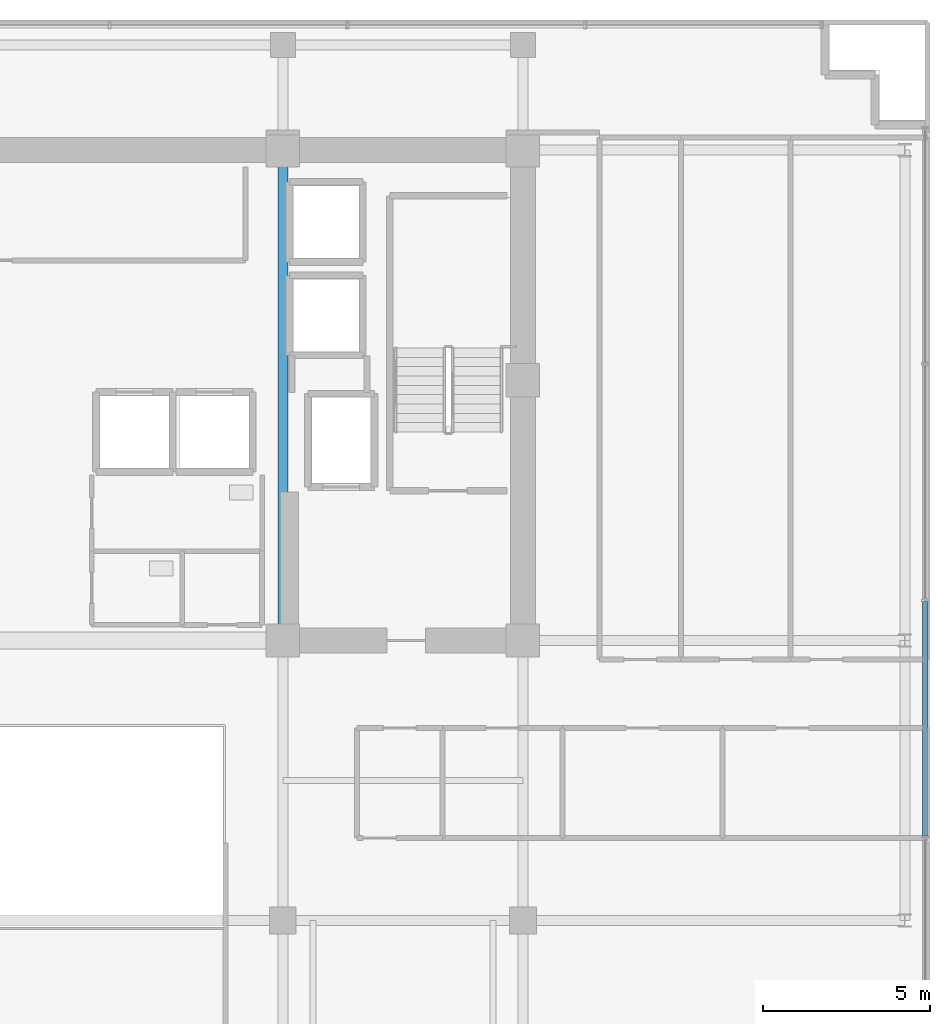
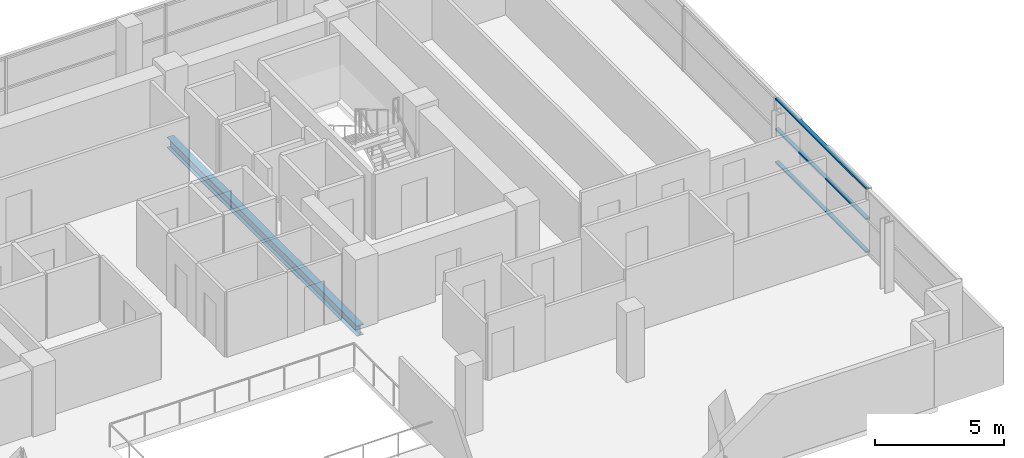
# One storey, part 8 of 21: 3 members, 1 beam, 1 element without a shape of its own.
"""IFC4 building model written with IfcOpenShell, lengths in metres."""

from ifc_helpers import new_model, si_unit, direction, frame, origin, origin_2d, place, context, subcontext, project, spatial, hollow_rectangle, i_section, extrude, source, transform, mapped, material, layer, layer_set, material_profile, profile_set, type_object, element, aggregate, save


model = new_model("IFC4")

# Units and contexts
model_context = context("Model", 3, precision=1e-05, world=origin(), true_north=direction((0.0, 1.0)))
body_context = subcontext(model_context, "Body", "Model", "MODEL_VIEW")
ifc_project = project(units=[si_unit("LENGTHUNIT", "METRE"), si_unit("AREAUNIT", "SQUARE_METRE"), si_unit("VOLUMEUNIT", "CUBIC_METRE"), si_unit("PLANEANGLEUNIT", "RADIAN"), si_unit("MASSUNIT", "GRAM", prefix="KILO")], contexts=[model_context])

# Site, building, storey
site_placement = place(None, origin())
site = spatial("IfcSite", under=ifc_project, at=site_placement, CompositionType="ELEMENT")
building_placement = place(site_placement, origin())
building = spatial("IfcBuilding", under=site, at=building_placement, Name="Zarnakvel Exchange Tower", CompositionType="ELEMENT")
storey_placement = place(building_placement, frame((0.0, 0.0, 185.800048828125)))
storey = spatial("IfcBuildingStorey", under=building, at=storey_placement, Name="L52", CompositionType="ELEMENT", Elevation=185.800048828125)

# Beam
ifc_material_1 = material(Name="Steel S355", Category="steel")
ifc_material_profile_1 = material_profile(ifc_material_1, i_section(OverallWidth=0.300048828125, OverallDepth=0.5, WebThickness=0.014404296875, FlangeThickness=0.028076171875, FilletRadius=0.027099609375, at=origin_2d()))
ifc_profile_set_1 = profile_set([ifc_material_profile_1], Name="Steel S355")
beam_type = type_object("IfcBeamType", Name="G-06", PredefinedType="BEAM", material=ifc_profile_set_1)
beam_placement = place(storey_placement, frame((7.199951171875, -1.199951171875, -0.47509765625), z_axis=(0.0, 1.0, 0.0), x_axis=(-1.0, 0.0, 0.0)))
element("IfcBeam", 1, at=beam_placement, inside=storey, type_object=beam_type, Name="L52 Tower N-S Frame Beam", PredefinedType="BEAM", context=body_context, shape_type="SweptSolid", body=[
    extrude(i_section(OverallWidth=0.300048828125, OverallDepth=0.5, WebThickness=0.014404296875, FlangeThickness=0.028076171875, FilletRadius=0.027099609375, at=origin_2d()), origin(), (0.0, 0.0, 1.0), 14.699951171875),
])

# Curtain wall, members
ifc_material_2 = material(Name="Architectural Bronze Anodised Aluminium", Category="aluminium")
ifc_layer = layer(ifc_material_2, 0.199951171875)
ifc_layer_set = layer_set([ifc_layer], Name="Architectural Bronze Anodised Aluminium")
curtain_wall_type = type_object("IfcCurtainWallType", Name="CW-04", PredefinedType="NOTDEFINED", material=ifc_layer_set)
curtain_wall_placement = place(storey_placement, origin())
curtain_wall = element("IfcCurtainWall", 2, at=curtain_wall_placement, inside=storey, type_object=curtain_wall_type, Name="L52 Curtain Wall CW-L52-E1 (CW-04)", PredefinedType="NOTDEFINED")
ifc_material_profile_2 = material_profile(ifc_material_2, hollow_rectangle(XDim=0.159912109375, YDim=0.074951171875, WallThickness=0.00390625, at=origin_2d()))
ifc_profile_set_2 = profile_set([ifc_material_profile_2], Name="Architectural Bronze Anodised Aluminium")
member_type = type_object("IfcMemberType", Name="CWT-04", PredefinedType="USERDEFINED", material=ifc_profile_set_2)
shared_shape = source(origin(), body_context, "Body", "SweptSolid", [
    extrude(hollow_rectangle(XDim=0.159912109375, YDim=0.074951171875, WallThickness=0.00390625, at=origin_2d()), origin(), (0.0, 0.0, 1.0), 7.02490234375),
])
member_1_placement = place(storey_placement, frame((26.4599609375, -7.0625, 0.037353515625), z_axis=(0.0, 1.0, 0.0), x_axis=(-1.0, 0.0, 0.0)))
member_1 = element("IfcMember", 3, at=member_1_placement, type_object=member_type, Name="CW-04 transom 2.1", ObjectType="TRANSOM", PredefinedType="USERDEFINED", context=body_context, shape_type="MappedRepresentation", body=[
    mapped(shared_shape, transform((0.0, 0.0, 0.0), x_axis=(1.0, 0.0, 0.0), y_axis=(0.0, 1.0, 0.0), z_axis=(0.0, 0.0, 1.0), scale=1.0)),
])
member_2_placement = place(storey_placement, frame((26.4599609375, -7.0625, 1.588623046875), z_axis=(0.0, 1.0, 0.0), x_axis=(-1.0, 0.0, 0.0)))
member_2 = element("IfcMember", 4, at=member_2_placement, type_object=member_type, Name="CW-04 transom 2.2", ObjectType="TRANSOM", PredefinedType="USERDEFINED", context=body_context, shape_type="MappedRepresentation", body=[
    mapped(shared_shape, transform((0.0, 0.0, 0.0), x_axis=(1.0, 0.0, 0.0), y_axis=(0.0, 1.0, 0.0), z_axis=(0.0, 0.0, 1.0), scale=1.0)),
])
member_3_placement = place(storey_placement, frame((26.4599609375, -7.0625, 3.017333984375), z_axis=(0.0, 1.0, 0.0), x_axis=(-1.0, 0.0, 0.0)))
member_3 = element("IfcMember", 5, at=member_3_placement, type_object=member_type, Name="CW-04 transom 2.3", ObjectType="TRANSOM", PredefinedType="USERDEFINED", context=body_context, shape_type="MappedRepresentation", body=[
    mapped(shared_shape, transform((0.0, 0.0, 0.0), x_axis=(1.0, 0.0, 0.0), y_axis=(0.0, 1.0, 0.0), z_axis=(0.0, 0.0, 1.0), scale=1.0)),
])
aggregate(curtain_wall, [member_1, member_2, member_3])

save(model, "model.ifc")
